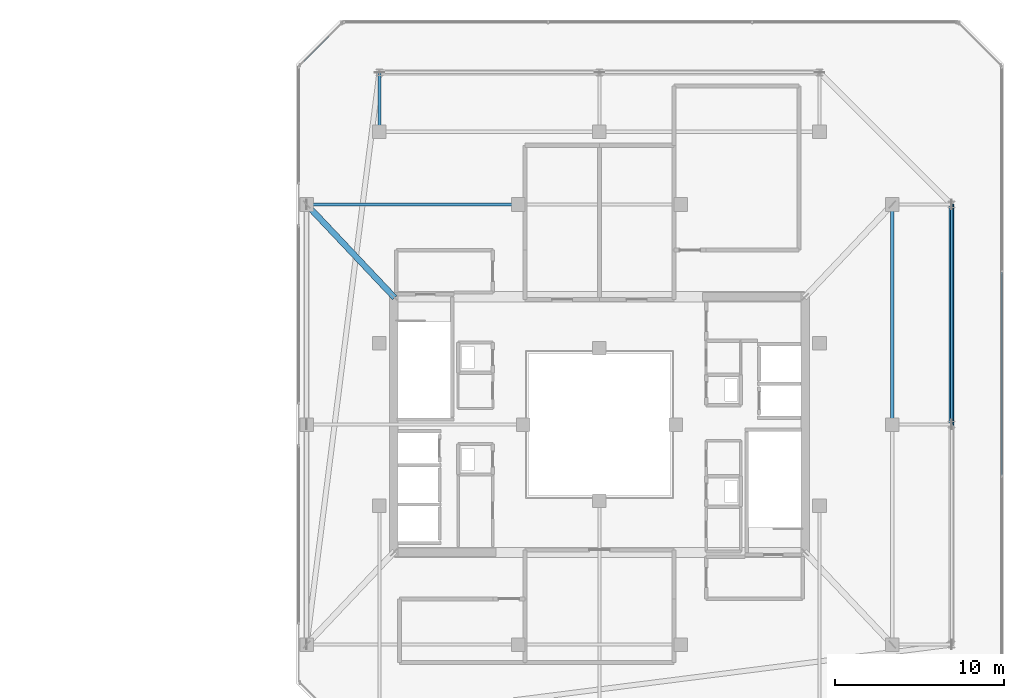
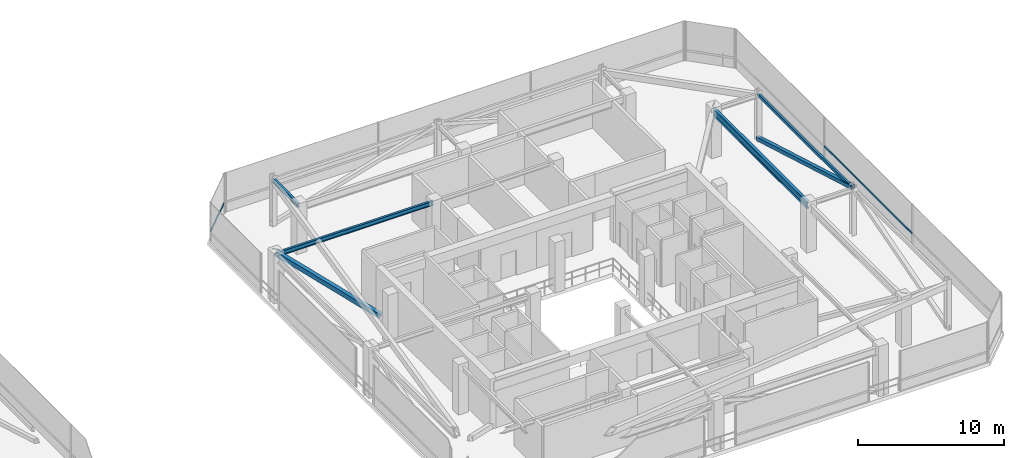
# One storey, part 30 of 47: 4 beams, 4 members, 2 elements without a shape of their own.
"""IFC4 building model written with IfcOpenShell, lengths in metres."""

import ifcopenshell
import ifcopenshell.guid

model = None  # the IFC model being written
_history = None  # IfcOwnerHistory: only IFC2X3 demands one
_inside = {}  # id of a spatial element -> (the spatial element, [elements in it])
_under = {}  # id of a project, library or spatial element -> (it, [spatial elements below it])
_declared = {}  # id of a project -> (the project, [libraries it declares])
_typed = {}  # id of a type object -> (the type object, [elements of that type])
_made_of = {}  # id of a material, layer set ... -> (it, [elements and type objects made of it])


def new_model(schema):
    """Start an empty IFC model of exactly this schema.

    Asked for "IFC4X3", IfcOpenShell would pick the latest addendum, in which some entities
    have other attributes; the version numbers below select the first issue.
    IFC2X3 requires an IfcOwnerHistory on every rooted entity: one is made here for all.
    """
    global model, _history
    if schema == "IFC4X3":
        model = ifcopenshell.file(schema_version=(4, 3, 0, 0))
    else:
        model = ifcopenshell.file(schema=schema)
    _inside.clear()
    _under.clear()
    _declared.clear()
    _typed.clear()
    _made_of.clear()
    _history = None
    if model.schema == "IFC2X3":
        org = make("IfcOrganization", Name="unknown")
        user = make(
            "IfcPersonAndOrganization",
            ThePerson=make("IfcPerson", FamilyName="unknown"),
            TheOrganization=org,
        )
        app = make(
            "IfcApplication",
            ApplicationDeveloper=org,
            Version="unknown",
            ApplicationFullName="unknown",
            ApplicationIdentifier="unknown",
        )
        _history = make(
            "IfcOwnerHistory",
            OwningUser=user,
            OwningApplication=app,
            ChangeAction="ADDED",
            CreationDate=0,
        )
    return model


def make(cls, **values):
    """One entity of the class cls with the attributes given. An attribute that is None is left unset."""
    return model.create_entity(
        cls, **{name: value for name, value in values.items() if value is not None}
    )


def rooted(cls, **values):
    """An entity with a GlobalId (a new one), such as an element, a storey or a relation."""
    return make(cls, GlobalId=ifcopenshell.guid.new(), OwnerHistory=_history, **values)


def si_unit(unit_type, name, prefix=None):
    """IfcSIUnit, for example si_unit("LENGTHUNIT", "METRE", prefix="MILLI")."""
    return make("IfcSIUnit", UnitType=unit_type, Prefix=prefix, Name=name)


def assignment(units):
    """IfcUnitAssignment: the units of a project."""
    return None if units is None else make("IfcUnitAssignment", Units=units)


def point(xyz):
    """IfcCartesianPoint."""
    return None if xyz is None else make("IfcCartesianPoint", Coordinates=xyz)


def direction(xyz):
    """IfcDirection."""
    return None if xyz is None else make("IfcDirection", DirectionRatios=xyz)


def frame(location, z_axis=None, x_axis=None):
    """IfcAxis2Placement3D, a coordinate frame: its origin and axes. An axis left out is left unset."""
    return make(
        "IfcAxis2Placement3D",
        Location=point(location),
        Axis=direction(z_axis),
        RefDirection=direction(x_axis),
    )


def frame_2d(location, x_axis=None):
    """IfcAxis2Placement2D, a coordinate frame in the plane: its origin and x axis."""
    return make(
        "IfcAxis2Placement2D", Location=point(location), RefDirection=direction(x_axis)
    )


def origin():
    """The frame at (0, 0, 0) with its axes left unset."""
    return frame((0.0, 0.0, 0.0))


def origin_2d():
    """The frame at (0, 0) in the plane with its x axis left unset."""
    return frame_2d((0.0, 0.0))


def place(relative_to, where):
    """IfcLocalPlacement: puts the frame where relative to a parent placement (None: the world)."""
    return make(
        "IfcLocalPlacement", PlacementRelTo=relative_to, RelativePlacement=where
    )


def context(
    kind, dimensions, precision=None, world=None, true_north=None, identifier=None
):
    """IfcGeometricRepresentationContext, for example the 3D "Model" context."""
    return make(
        "IfcGeometricRepresentationContext",
        ContextIdentifier=identifier,
        ContextType=kind,
        CoordinateSpaceDimension=dimensions,
        Precision=precision,
        WorldCoordinateSystem=world,
        TrueNorth=true_north,
    )


def subcontext(parent, identifier, kind, view, scale=None):
    """IfcGeometricRepresentationSubContext, for example "Body" below "Model"."""
    return make(
        "IfcGeometricRepresentationSubContext",
        ContextIdentifier=identifier,
        ContextType=kind,
        ParentContext=parent,
        TargetScale=scale,
        TargetView=view,
    )


def project(units=None, contexts=None):
    """IfcProject with its units and contexts."""
    return rooted(
        "IfcProject",
        Name="project",
        RepresentationContexts=contexts,
        UnitsInContext=assignment(units),
    )


def spatial(cls, under=None, at=None, **own):
    """A site, building, storey or space (cls), placed at a placement, below another one or the project."""
    s = rooted(cls, ObjectPlacement=at, **own)
    if under is not None:
        _under.setdefault(under.id(), (under, []))[1].append(s)
    return s


def profile(cls, at=None, kind="AREA", **sizes):
    """A parametric profile (cls). Its sizes go by their IFC names, for example OverallWidth=200.0."""
    return make(cls, ProfileType=kind, Position=at, **sizes)


def hollow_rectangle(**sizes):
    """IfcRectangleHollowProfileDef."""
    return profile("IfcRectangleHollowProfileDef", **sizes)


def i_section(**sizes):
    """IfcIShapeProfileDef."""
    return profile("IfcIShapeProfileDef", **sizes)


def extrude(swept, where, along, depth):
    """IfcExtrudedAreaSolid: the profile swept, set in the frame where, extruded along a direction by depth."""
    return make(
        "IfcExtrudedAreaSolid",
        SweptArea=swept,
        Position=where,
        ExtrudedDirection=direction(along),
        Depth=depth,
    )


def shape(context_of_items, identifier, shape_type, items):
    """IfcShapeRepresentation: the items that make up one representation, for example the "Body"."""
    return make(
        "IfcShapeRepresentation",
        ContextOfItems=context_of_items,
        RepresentationIdentifier=identifier,
        RepresentationType=shape_type,
        Items=items,
    )


def material(Name=None, Category=None):
    """IfcMaterial."""
    return make("IfcMaterial", Name=Name, Category=Category)


def material_profile(
    of_material, cross_section, Name=None, Category=None, Priority=None
):
    """IfcMaterialProfile: a cross section and its material."""
    return make(
        "IfcMaterialProfile",
        Name=Name,
        Material=of_material,
        Profile=cross_section,
        Priority=Priority,
        Category=Category,
    )


def profile_set(profiles, Name=None, composite=None):
    """IfcMaterialProfileSet."""
    return make(
        "IfcMaterialProfileSet",
        Name=Name,
        MaterialProfiles=profiles,
        CompositeProfile=composite,
    )


def made_of(thing, what):
    """Note that an element or type object is made of a material, layer set ...; save() writes the relation."""
    if what is not None:
        _made_of.setdefault(what.id(), (what, []))[1].append(thing)
    return thing


def type_object(cls, material=None, **own):
    """A type object (cls), such as IfcWallType, which elements share."""
    return made_of(rooted(cls, **own), material)


def element(
    cls,
    number,
    at=None,
    inside=None,
    cuts=None,
    type_object=None,
    material=None,
    context=None,
    identifier="Body",
    shape_type=None,
    held_by="IfcProductDefinitionShape",
    body=None,
    shapes=None,
    **own,
):
    """One element of the class cls, such as IfcWall. Its Tag is "e" and its number.

    at: its placement. inside: the storey or other place that contains it. cuts: it is an
    opening in that element (IfcRelVoidsElement). A single representation is given by context,
    identifier, shape_type and body (its items); several are given by shapes. held_by: the class
    of the entity that holds the representations. save() writes the other relations.
    """
    e = rooted(cls, Tag="e%d" % number, ObjectPlacement=at, **own)
    if body is not None:
        shapes = [shape(context, identifier, shape_type, body)]
    if shapes is not None:
        e.Representation = make(held_by, Representations=shapes)
    if inside is not None:
        _inside.setdefault(inside.id(), (inside, []))[1].append(e)
    if cuts is not None:
        rooted(
            "IfcRelVoidsElement", RelatingBuildingElement=cuts, RelatedOpeningElement=e
        )
    if type_object is not None:
        _typed.setdefault(type_object.id(), (type_object, []))[1].append(e)
    return made_of(e, material)


def aggregate(whole, parts):
    """IfcRelAggregates: a whole, such as a stair, and the parts it consists of."""
    return rooted("IfcRelAggregates", RelatingObject=whole, RelatedObjects=parts)


def save(model, path):
    """Write the relations noted so far, then the file.

    IfcRelAggregates (storeys below a building ...), IfcRelContainedInSpatialStructure (elements
    in a storey), IfcRelDefinesByType, IfcRelAssociatesMaterial and IfcRelDeclares: one each for
    every whole, place, type object, material and project.
    """
    for whole, parts in _under.values():
        aggregate(whole, parts)
    for where, things in _inside.values():
        rooted(
            "IfcRelContainedInSpatialStructure",
            RelatedElements=things,
            RelatingStructure=where,
        )
    for kind, things in _typed.values():
        rooted("IfcRelDefinesByType", RelatedObjects=things, RelatingType=kind)
    for what, things in _made_of.values():
        rooted("IfcRelAssociatesMaterial", RelatedObjects=things, RelatingMaterial=what)
    for by, libraries in _declared.values():
        rooted("IfcRelDeclares", RelatingContext=by, RelatedDefinitions=libraries)
    model.write(path)


model = new_model("IFC4")

# Units and contexts
model_context = context("Model", 3, precision=1e-05, world=origin(), true_north=direction((0.0, 1.0)))
body_context = subcontext(model_context, "Body", "Model", "MODEL_VIEW")
ifc_project = project(units=[si_unit("LENGTHUNIT", "METRE"), si_unit("AREAUNIT", "SQUARE_METRE"), si_unit("VOLUMEUNIT", "CUBIC_METRE"), si_unit("PLANEANGLEUNIT", "RADIAN"), si_unit("MASSUNIT", "GRAM", prefix="KILO")], contexts=[model_context])

# Site, building, storey
site_placement = place(None, origin())
site = spatial("IfcSite", under=ifc_project, at=site_placement, CompositionType="ELEMENT")
building_placement = place(site_placement, origin())
building = spatial("IfcBuilding", under=site, at=building_placement, Name="Thornwick Lancets Civic Towers", CompositionType="ELEMENT")
storey_placement = place(building_placement, frame((0.0, 0.0, 279.89990234375)))
storey = spatial("IfcBuildingStorey", under=building, at=storey_placement, Name="C01", CompositionType="ELEMENT", Elevation=279.89990234375)

# Beams
ifc_material_1 = material(Name="Steel S355JR", Category="steel")
ifc_material_profile_1 = material_profile(ifc_material_1, hollow_rectangle(XDim=0.14990234375, YDim=0.25, WallThickness=0.012451171875, at=origin_2d()), Name="RHS 250x150x12.5")
ifc_profile_set_1 = profile_set([ifc_material_profile_1], Name="Steel S355JR")
beam_type_1 = type_object("IfcBeamType", Name="BM_CROWN_RHS250", PredefinedType="BEAM", material=ifc_profile_set_1)
beam_1_placement = place(storey_placement, frame((109.300048828125, 27.080078125, 3.815185546875), z_axis=(0.0, 1.0, 0.0), x_axis=(-1.0, 0.0, 0.0)))
element("IfcBeam", 1, at=beam_1_placement, inside=storey, type_object=beam_type_1, Name="BM-EDGE-C01-B-S0-2", PredefinedType="BEAM", context=body_context, shape_type="SweptSolid", body=[
    extrude(hollow_rectangle(XDim=0.14990234375, YDim=0.25, WallThickness=0.012451171875, at=origin_2d()), origin(), (0.0, 0.0, 1.0), 12.919921875),
])
ifc_material_profile_2 = material_profile(ifc_material_1, i_section(OverallWidth=0.230224609375, OverallDepth=0.6171875, WebThickness=0.01318359375, FlangeThickness=0.022216796875, FilletRadius=0.0126953125, at=origin_2d()), Name="UKB 610x229x140")
ifc_profile_set_2 = profile_set([ifc_material_profile_2], Name="Steel S355JR")
beam_type_2 = type_object("IfcBeamType", Name="BM_GIRD_610_140", PredefinedType="BEAM", material=ifc_profile_set_2)
beam_2_placement = place(storey_placement, frame((105.800048828125, 27.080078125, 3.631591796875), z_axis=(0.0, 1.0, 0.0), x_axis=(-1.0, 0.0, 0.0)))
element("IfcBeam", 2, at=beam_2_placement, inside=storey, type_object=beam_type_2, Name="BM-SPINE-C01-B-1-2", PredefinedType="BEAM", context=body_context, shape_type="SweptSolid", body=[
    extrude(i_section(OverallWidth=0.230224609375, OverallDepth=0.6171875, WebThickness=0.01318359375, FlangeThickness=0.022216796875, FilletRadius=0.0126953125, at=origin_2d()), origin(), (0.0, 0.0, 1.0), 12.919921875),
])
ifc_material_profile_3 = material_profile(ifc_material_1, i_section(OverallWidth=0.173095703125, OverallDepth=0.36328125, WebThickness=0.009033203125, FlangeThickness=0.015625, FilletRadius=0.01025390625, at=origin_2d()), Name="UKB 356x171x67")
ifc_profile_set_3 = profile_set([ifc_material_profile_3], Name="Steel S355JR")
beam_type_3 = type_object("IfcBeamType", Name="BM_JOIST_356_67", PredefinedType="JOIST", material=ifc_profile_set_3)
beam_3_placement = place(storey_placement, frame((75.5, 44.300048828125, 3.75830078125), z_axis=(0.0, 1.0, 0.0), x_axis=(-1.0, 0.0, 0.0)))
element("IfcBeam", 3, at=beam_3_placement, inside=storey, type_object=beam_type_3, Name="BM-RAD-C01-B06", PredefinedType="JOIST", context=body_context, shape_type="SweptSolid", body=[
    extrude(i_section(OverallWidth=0.173095703125, OverallDepth=0.36328125, WebThickness=0.009033203125, FlangeThickness=0.015625, FilletRadius=0.01025390625, at=origin_2d()), origin(), (0.0, 0.0, 1.0), 3.5),
])
beam_4_placement = place(storey_placement, frame((83.6201171875, 40.0, 3.75830078125), z_axis=(-1.0, 0.0, 0.0), x_axis=(0.0, -1.0, 0.0)))
element("IfcBeam", 4, at=beam_4_placement, inside=storey, type_object=beam_type_3, Name="BM-RADIN-C01-B09", PredefinedType="JOIST", context=body_context, shape_type="SweptSolid", body=[
    extrude(i_section(OverallWidth=0.173095703125, OverallDepth=0.36328125, WebThickness=0.009033203125, FlangeThickness=0.015625, FilletRadius=0.01025390625, at=origin_2d()), origin(), (0.0, 0.0, 1.0), 12.420166015625),
])

# Curtain wall, member
ifc_material_2 = material(Name="Crown ring acoustic-louvre and glazing screen wall", Category="glass")
curtain_wall_type = type_object("IfcCurtainWallType", Name="CW_SYS_07", PredefinedType="NOTDEFINED", material=ifc_material_2)
curtain_wall_1_placement = place(storey_placement, origin())
curtain_wall_1 = element("IfcCurtainWall", 5, at=curtain_wall_1_placement, inside=storey, type_object=curtain_wall_type, Name="C01 Curtain Wall CW-C01-B-E2", PredefinedType="NOTDEFINED")
ifc_material_3 = material(Name="Thermally broken bronze aluminium S355", Category="steel")
ifc_material_profile_4 = material_profile(ifc_material_3, hollow_rectangle(XDim=0.074951171875, YDim=0.14990234375, WallThickness=0.0048828125, at=origin_2d()), Name="RHS 150x75x5")
ifc_profile_set_4 = profile_set([ifc_material_profile_4], Name="Thermally broken bronze aluminium S355")
member_type_1 = type_object("IfcMemberType", Name="CW_TRN_150", PredefinedType="USERDEFINED", material=ifc_profile_set_4)
member_1_placement = place(storey_placement, frame((112.2646484375, 23.986083984375, 0.85009765625), z_axis=(0.0, 1.0, 0.0), x_axis=(-1.0, 0.0, 0.0)))
member_1 = element("IfcMember", 6, at=member_1_placement, type_object=member_type_1, Name="CW-C01-B-E2 Transom 1", ObjectType="TRANSOM", PredefinedType="USERDEFINED", context=body_context, shape_type="SweptSolid", body=[
    extrude(hollow_rectangle(XDim=0.074951171875, YDim=0.14990234375, WallThickness=0.0048828125, at=origin_2d()), origin(), (0.0, 0.0, 1.0), 12.02783203125),
])
aggregate(curtain_wall_1, [member_1])

curtain_wall_2_placement = place(storey_placement, origin())
curtain_wall_2 = element("IfcCurtainWall", 7, at=curtain_wall_2_placement, inside=storey, type_object=curtain_wall_type, Name="C01 Curtain Wall CW-C01-B-E5", PredefinedType="NOTDEFINED")
member_2_placement = place(storey_placement, frame((73.247802734375, 50.69384765625, 0.85009765625), z_axis=(-0.707106781187, -0.707106781187, 0.0), x_axis=(0.707106781187, -0.707106781187, 0.0)))
member_2 = element("IfcMember", 8, at=member_2_placement, type_object=member_type_1, Name="CW-C01-B-E5 Transom 0", ObjectType="TRANSOM", PredefinedType="USERDEFINED", context=body_context, shape_type="SweptSolid", body=[
    extrude(hollow_rectangle(XDim=0.074951171875, YDim=0.14990234375, WallThickness=0.0048828125, at=origin_2d()), origin(), (0.0, 0.0, 1.0), 3.453125),
])
aggregate(curtain_wall_2, [member_2])

# Members
ifc_material_4 = material(Name="Steel S460M", Category="steel")
ifc_material_profile_5 = material_profile(ifc_material_4, hollow_rectangle(XDim=0.300048828125, YDim=0.300048828125, WallThickness=0.01611328125, at=origin_2d()), Name="SHS 300x300x16")
ifc_profile_set_5 = profile_set([ifc_material_profile_5], Name="Steel S460M")
member_type_2 = type_object("IfcMemberType", Name="MEM_BELT_SHS300", PredefinedType="BRACE", material=ifc_profile_set_5)
member_3_placement = place(storey_placement, frame((109.300048828125, 40.0, 0.150146484375), z_axis=(0.0, -0.960032302388, 0.279889225178), x_axis=(1.0, 0.0, 0.0)))
element("IfcMember", 9, at=member_3_placement, inside=storey, type_object=member_type_2, Name="C01 Belt Truss Diagonal B-S0-2", PredefinedType="BRACE", context=body_context, shape_type="SweptSolid", body=[
    extrude(hollow_rectangle(XDim=0.300048828125, YDim=0.300048828125, WallThickness=0.01611328125, at=origin_2d()), origin(), (0.0, 0.0, 1.0), 13.541259765625),
])
ifc_material_profile_6 = material_profile(ifc_material_4, hollow_rectangle(XDim=0.35009765625, YDim=0.35009765625, WallThickness=0.01611328125, at=origin_2d()), Name="SHS 350x350x16")
ifc_profile_set_6 = profile_set([ifc_material_profile_6], Name="Steel S460M")
member_type_3 = type_object("IfcMemberType", Name="MEM_OUTRIG_SHS350", PredefinedType="BRACE", material=ifc_profile_set_6)
member_4_placement = place(storey_placement, frame((76.35009765625, 34.550048828125, 0.150146484375), z_axis=(-0.612980761558, 0.648664116628, 0.451098048942), x_axis=(-0.726815378038, -0.686832880872, 0.0)))
element("IfcMember", 10, at=member_4_placement, inside=storey, type_object=member_type_3, Name="C01 Outrigger Brace B-4", PredefinedType="BRACE", context=body_context, shape_type="SweptSolid", body=[
    extrude(hollow_rectangle(XDim=0.35009765625, YDim=0.35009765625, WallThickness=0.01611328125, at=origin_2d()), origin(), (0.0, 0.0, 1.0), 8.40185546875),
])

save(model, "model.ifc")
